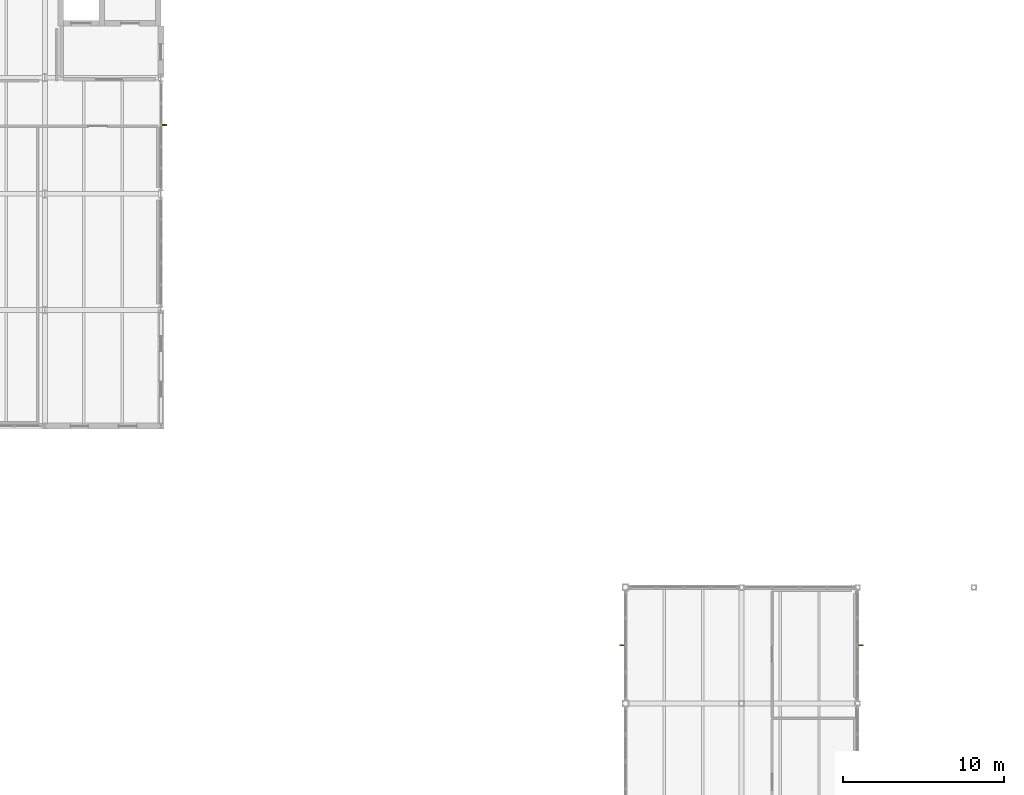
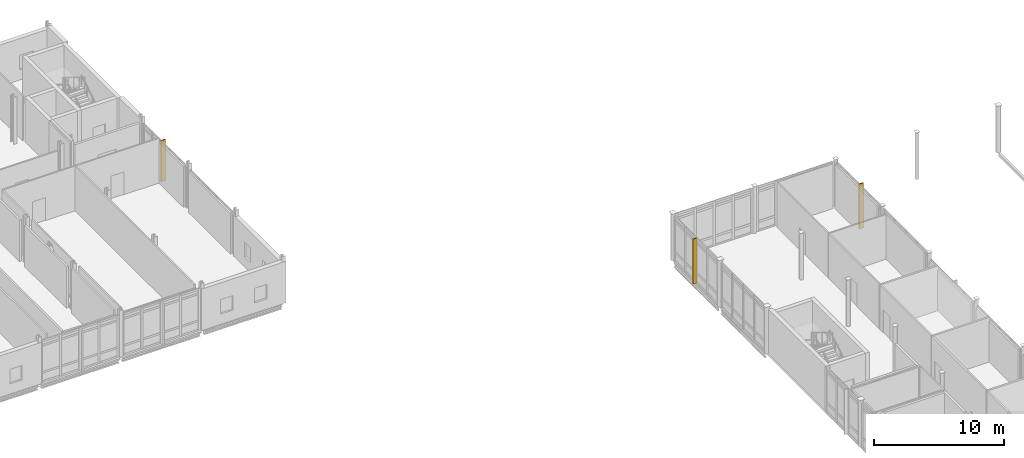
# One storey, part 75 of 76: 3 shading devices.
"""IFC4 building model written with IfcOpenShell, lengths in metres."""

import ifcopenshell
import ifcopenshell.guid

model = None  # the IFC model being written
_history = None  # IfcOwnerHistory: only IFC2X3 demands one
_inside = {}  # id of a spatial element -> (the spatial element, [elements in it])
_under = {}  # id of a project, library or spatial element -> (it, [spatial elements below it])
_declared = {}  # id of a project -> (the project, [libraries it declares])
_typed = {}  # id of a type object -> (the type object, [elements of that type])
_made_of = {}  # id of a material, layer set ... -> (it, [elements and type objects made of it])


def new_model(schema):
    """Start an empty IFC model of exactly this schema.

    Asked for "IFC4X3", IfcOpenShell would pick the latest addendum, in which some entities
    have other attributes; the version numbers below select the first issue.
    IFC2X3 requires an IfcOwnerHistory on every rooted entity: one is made here for all.
    """
    global model, _history
    if schema == "IFC4X3":
        model = ifcopenshell.file(schema_version=(4, 3, 0, 0))
    else:
        model = ifcopenshell.file(schema=schema)
    _inside.clear()
    _under.clear()
    _declared.clear()
    _typed.clear()
    _made_of.clear()
    _history = None
    if model.schema == "IFC2X3":
        org = make("IfcOrganization", Name="unknown")
        user = make(
            "IfcPersonAndOrganization",
            ThePerson=make("IfcPerson", FamilyName="unknown"),
            TheOrganization=org,
        )
        app = make(
            "IfcApplication",
            ApplicationDeveloper=org,
            Version="unknown",
            ApplicationFullName="unknown",
            ApplicationIdentifier="unknown",
        )
        _history = make(
            "IfcOwnerHistory",
            OwningUser=user,
            OwningApplication=app,
            ChangeAction="ADDED",
            CreationDate=0,
        )
    return model


def make(cls, **values):
    """One entity of the class cls with the attributes given. An attribute that is None is left unset."""
    return model.create_entity(
        cls, **{name: value for name, value in values.items() if value is not None}
    )


def rooted(cls, **values):
    """An entity with a GlobalId (a new one), such as an element, a storey or a relation."""
    return make(cls, GlobalId=ifcopenshell.guid.new(), OwnerHistory=_history, **values)


def si_unit(unit_type, name, prefix=None):
    """IfcSIUnit, for example si_unit("LENGTHUNIT", "METRE", prefix="MILLI")."""
    return make("IfcSIUnit", UnitType=unit_type, Prefix=prefix, Name=name)


def assignment(units):
    """IfcUnitAssignment: the units of a project."""
    return None if units is None else make("IfcUnitAssignment", Units=units)


def point(xyz):
    """IfcCartesianPoint."""
    return None if xyz is None else make("IfcCartesianPoint", Coordinates=xyz)


def direction(xyz):
    """IfcDirection."""
    return None if xyz is None else make("IfcDirection", DirectionRatios=xyz)


def frame(location, z_axis=None, x_axis=None):
    """IfcAxis2Placement3D, a coordinate frame: its origin and axes. An axis left out is left unset."""
    return make(
        "IfcAxis2Placement3D",
        Location=point(location),
        Axis=direction(z_axis),
        RefDirection=direction(x_axis),
    )


def frame_2d(location, x_axis=None):
    """IfcAxis2Placement2D, a coordinate frame in the plane: its origin and x axis."""
    return make(
        "IfcAxis2Placement2D", Location=point(location), RefDirection=direction(x_axis)
    )


def origin():
    """The frame at (0, 0, 0) with its axes left unset."""
    return frame((0.0, 0.0, 0.0))


def origin_2d():
    """The frame at (0, 0) in the plane with its x axis left unset."""
    return frame_2d((0.0, 0.0))


def place(relative_to, where):
    """IfcLocalPlacement: puts the frame where relative to a parent placement (None: the world)."""
    return make(
        "IfcLocalPlacement", PlacementRelTo=relative_to, RelativePlacement=where
    )


def context(
    kind, dimensions, precision=None, world=None, true_north=None, identifier=None
):
    """IfcGeometricRepresentationContext, for example the 3D "Model" context."""
    return make(
        "IfcGeometricRepresentationContext",
        ContextIdentifier=identifier,
        ContextType=kind,
        CoordinateSpaceDimension=dimensions,
        Precision=precision,
        WorldCoordinateSystem=world,
        TrueNorth=true_north,
    )


def subcontext(parent, identifier, kind, view, scale=None):
    """IfcGeometricRepresentationSubContext, for example "Body" below "Model"."""
    return make(
        "IfcGeometricRepresentationSubContext",
        ContextIdentifier=identifier,
        ContextType=kind,
        ParentContext=parent,
        TargetScale=scale,
        TargetView=view,
    )


def project(units=None, contexts=None):
    """IfcProject with its units and contexts."""
    return rooted(
        "IfcProject",
        Name="project",
        RepresentationContexts=contexts,
        UnitsInContext=assignment(units),
    )


def spatial(cls, under=None, at=None, **own):
    """A site, building, storey or space (cls), placed at a placement, below another one or the project."""
    s = rooted(cls, ObjectPlacement=at, **own)
    if under is not None:
        _under.setdefault(under.id(), (under, []))[1].append(s)
    return s


def profile(cls, at=None, kind="AREA", **sizes):
    """A parametric profile (cls). Its sizes go by their IFC names, for example OverallWidth=200.0."""
    return make(cls, ProfileType=kind, Position=at, **sizes)


def rectangle(**sizes):
    """IfcRectangleProfileDef."""
    return profile("IfcRectangleProfileDef", **sizes)


def extrude(swept, where, along, depth):
    """IfcExtrudedAreaSolid: the profile swept, set in the frame where, extruded along a direction by depth."""
    return make(
        "IfcExtrudedAreaSolid",
        SweptArea=swept,
        Position=where,
        ExtrudedDirection=direction(along),
        Depth=depth,
    )


def shape(context_of_items, identifier, shape_type, items):
    """IfcShapeRepresentation: the items that make up one representation, for example the "Body"."""
    return make(
        "IfcShapeRepresentation",
        ContextOfItems=context_of_items,
        RepresentationIdentifier=identifier,
        RepresentationType=shape_type,
        Items=items,
    )


def material(Name=None, Category=None):
    """IfcMaterial."""
    return make("IfcMaterial", Name=Name, Category=Category)


def made_of(thing, what):
    """Note that an element or type object is made of a material, layer set ...; save() writes the relation."""
    if what is not None:
        _made_of.setdefault(what.id(), (what, []))[1].append(thing)
    return thing


def type_object(cls, material=None, **own):
    """A type object (cls), such as IfcWallType, which elements share."""
    return made_of(rooted(cls, **own), material)


def element(
    cls,
    number,
    at=None,
    inside=None,
    cuts=None,
    type_object=None,
    material=None,
    context=None,
    identifier="Body",
    shape_type=None,
    held_by="IfcProductDefinitionShape",
    body=None,
    shapes=None,
    **own,
):
    """One element of the class cls, such as IfcWall. Its Tag is "e" and its number.

    at: its placement. inside: the storey or other place that contains it. cuts: it is an
    opening in that element (IfcRelVoidsElement). A single representation is given by context,
    identifier, shape_type and body (its items); several are given by shapes. held_by: the class
    of the entity that holds the representations. save() writes the other relations.
    """
    e = rooted(cls, Tag="e%d" % number, ObjectPlacement=at, **own)
    if body is not None:
        shapes = [shape(context, identifier, shape_type, body)]
    if shapes is not None:
        e.Representation = make(held_by, Representations=shapes)
    if inside is not None:
        _inside.setdefault(inside.id(), (inside, []))[1].append(e)
    if cuts is not None:
        rooted(
            "IfcRelVoidsElement", RelatingBuildingElement=cuts, RelatedOpeningElement=e
        )
    if type_object is not None:
        _typed.setdefault(type_object.id(), (type_object, []))[1].append(e)
    return made_of(e, material)


def aggregate(whole, parts):
    """IfcRelAggregates: a whole, such as a stair, and the parts it consists of."""
    return rooted("IfcRelAggregates", RelatingObject=whole, RelatedObjects=parts)


def save(model, path):
    """Write the relations noted so far, then the file.

    IfcRelAggregates (storeys below a building ...), IfcRelContainedInSpatialStructure (elements
    in a storey), IfcRelDefinesByType, IfcRelAssociatesMaterial and IfcRelDeclares: one each for
    every whole, place, type object, material and project.
    """
    for whole, parts in _under.values():
        aggregate(whole, parts)
    for where, things in _inside.values():
        rooted(
            "IfcRelContainedInSpatialStructure",
            RelatedElements=things,
            RelatingStructure=where,
        )
    for kind, things in _typed.values():
        rooted("IfcRelDefinesByType", RelatedObjects=things, RelatingType=kind)
    for what, things in _made_of.values():
        rooted("IfcRelAssociatesMaterial", RelatedObjects=things, RelatingMaterial=what)
    for by, libraries in _declared.values():
        rooted("IfcRelDeclares", RelatingContext=by, RelatedDefinitions=libraries)
    model.write(path)


model = new_model("IFC4")

# Units and contexts
model_context = context("Model", 3, precision=1e-05, world=origin(), true_north=direction((0.0, 1.0)))
body_context = subcontext(model_context, "Body", "Model", "MODEL_VIEW")
ifc_project = project(units=[si_unit("LENGTHUNIT", "METRE"), si_unit("AREAUNIT", "SQUARE_METRE"), si_unit("VOLUMEUNIT", "CUBIC_METRE"), si_unit("PLANEANGLEUNIT", "RADIAN"), si_unit("MASSUNIT", "GRAM", prefix="KILO")], contexts=[model_context])

# Site, building, storey
site_placement = place(None, origin())
site = spatial("IfcSite", under=ifc_project, at=site_placement, CompositionType="ELEMENT")
building_placement = place(site_placement, origin())
building = spatial("IfcBuilding", under=site, at=building_placement, Name="Zarrinpeak Specialist Clinic", CompositionType="ELEMENT")
storey_placement = place(building_placement, frame((0.0, 0.0, 5.199951171875)))
storey = spatial("IfcBuildingStorey", under=building, at=storey_placement, Name="L01", CompositionType="ELEMENT", Elevation=5.199951171875)

# Shading devices
ifc_material = material(Name="Anodised Bronze Aluminium", Category="aluminium")
shading_device_type = type_object("IfcShadingDeviceType", Name="SHD-FIN-BZ", PredefinedType="JALOUSIE", material=ifc_material)
for number, where, z_axis, x_axis, name in (
    (1, (93.43505859375, 68.39990234375, -0.01513671875), (0.0, 0.0, 1.0), (1.0, 0.0, 0.0), "L01 V3 Solar Control Fin FIN-065"),
    (2, (108.1650390625, 68.39990234375, -0.01513671875), (0.0, 0.0, 1.0), (1.0, 0.0, 0.0), "L01 V3 Solar Control Fin FIN-068"),
):
    element("IfcShadingDevice", number, at=place(storey_placement, frame(where, z_axis=z_axis, x_axis=x_axis)), inside=storey, type_object=shading_device_type, Name=name, PredefinedType="JALOUSIE", context=body_context, shape_type="SweptSolid", body=[
        extrude(rectangle(XDim=0.3798828125, YDim=0.074951171875, at=origin_2d()), origin(), (0.0, 0.0, 1.0), 4.215087890625),
    ])
shading_device_placement = place(storey_placement, frame((64.965087890625, 100.669921875, -0.01513671875), z_axis=(0.0, 0.0, 1.0), x_axis=(1.0, 0.0, 0.0)))
element("IfcShadingDevice", 3, at=shading_device_placement, inside=storey, type_object=shading_device_type, Name="L01 V6 Solar Control Fin FIN-088", PredefinedType="JALOUSIE", context=body_context, shape_type="SweptSolid", body=[
    extrude(rectangle(XDim=0.3798828125, YDim=0.074951171875, at=origin_2d()), origin(), (0.0, 0.0, 1.0), 3.840087890625),
])

save(model, "model.ifc")
